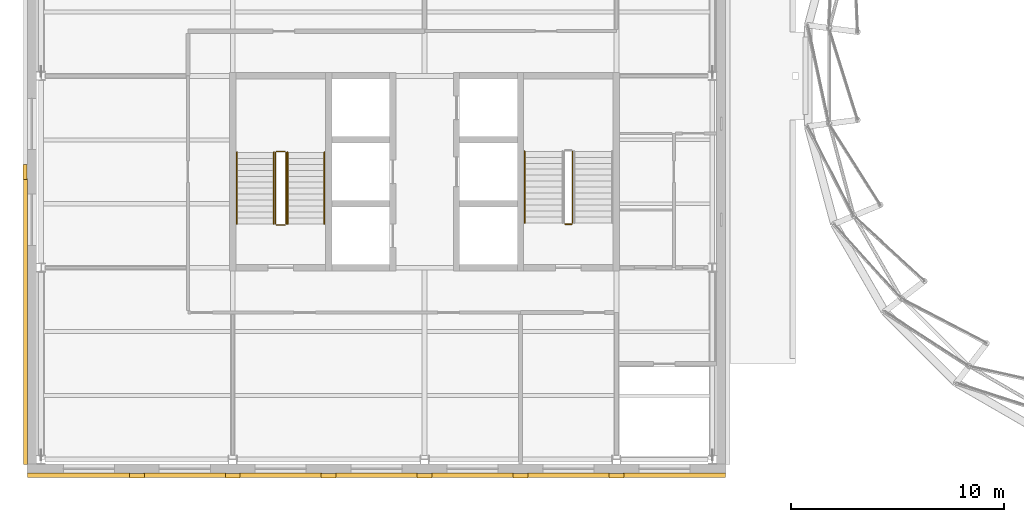
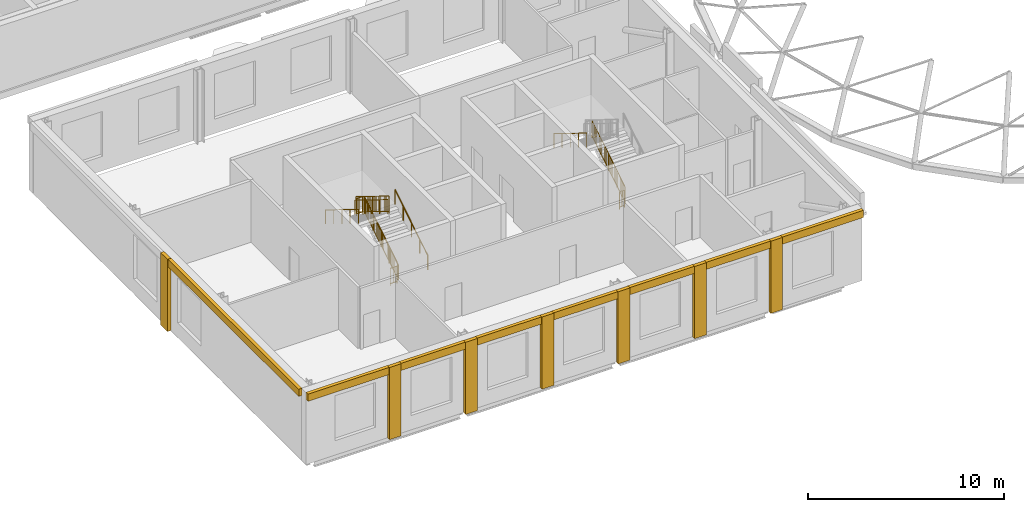
# One storey, part 49 of 59: 15 coverings, 11 railings.
"""IFC4 building model written with IfcOpenShell, lengths in metres."""

from ifc_helpers import new_model, si_unit, direction, frame, origin, origin_2d, place, context, subcontext, project, spatial, rectangle, circle, extrude, material, layer, layer_set, type_object, element, save


model = new_model("IFC4")

# Units and contexts
model_context = context("Model", 3, precision=1e-05, world=origin(), true_north=direction((0.0, 1.0)))
body_context = subcontext(model_context, "Body", "Model", "MODEL_VIEW")
ifc_project = project(units=[si_unit("LENGTHUNIT", "METRE"), si_unit("AREAUNIT", "SQUARE_METRE"), si_unit("VOLUMEUNIT", "CUBIC_METRE"), si_unit("PLANEANGLEUNIT", "RADIAN"), si_unit("MASSUNIT", "GRAM", prefix="KILO")], contexts=[model_context])

# Site, building, storey
site_placement = place(None, origin())
site = spatial("IfcSite", under=ifc_project, at=site_placement, CompositionType="ELEMENT")
building_placement = place(site_placement, origin())
building = spatial("IfcBuilding", under=site, at=building_placement, Name="Hortulan Conservatory and Botanical Research Centre", CompositionType="ELEMENT")
storey_placement = place(building_placement, frame((0.0, 0.0, 10.5)))
storey = spatial("IfcBuildingStorey", under=building, at=storey_placement, Name="L02", CompositionType="ELEMENT", Elevation=10.5)

# Coverings
ifc_material_1 = material(Name="Sandstone masonry (Hawkesbury yellow block)", Category="masonry")
ifc_layer_1 = layer(ifc_material_1, 0.199951171875)
ifc_layer_set_1 = layer_set([ifc_layer_1], Name="Sandstone Cornice Course 450x200")
covering_type_1 = type_object("IfcCoveringType", Name="Sandstone Cornice Course 450x200", PredefinedType="CLADDING", material=ifc_layer_set_1)
covering_1_placement = place(storey_placement, frame((29.722412109375, -0.736083984375, 4.0498046875), z_axis=(0.0, 0.0, 1.0), x_axis=(-1.0, 0.0, 0.0)))
element("IfcCovering", 1, at=covering_1_placement, inside=storey, type_object=covering_type_1, Name="String course", PredefinedType="CLADDING", context=body_context, shape_type="SweptSolid", body=[
    extrude(rectangle(XDim=4.804931640625, YDim=0.199951171875, at=origin_2d()), origin(), (0.0, 0.0, 1.0), 0.449951171875),
])
for number, where, z_axis, x_axis, name in (
    (2, (24.75, -0.736083984375, 4.0498046875), (0.0, 0.0, 1.0), (-1.0, 0.0, 0.0), "String course"),
    (3, (20.25, -0.736083984375, 4.0498046875), (0.0, 0.0, 1.0), (-1.0, 0.0, 0.0), "String course"),
    (4, (15.75, -0.736083984375, 4.0498046875), (0.0, 0.0, 1.0), (-1.0, 0.0, 0.0), "String course"),
    (5, (11.25, -0.736083984375, 4.0498046875), (0.0, 0.0, 1.0), (-1.0, 0.0, 0.0), "String course"),
    (6, (6.75, -0.736083984375, 4.0498046875), (0.0, 0.0, 1.0), (-1.0, 0.0, 0.0), "String course"),
):
    element("IfcCovering", number, at=place(storey_placement, frame(where, z_axis=z_axis, x_axis=x_axis)), inside=storey, type_object=covering_type_1, Name=name, PredefinedType="CLADDING", context=body_context, shape_type="SweptSolid", body=[
        extrude(rectangle(XDim=3.860107421875, YDim=0.199951171875, at=origin_2d()), origin(), (0.0, 0.0, 1.0), 0.449951171875),
    ])
covering_2_placement = place(storey_placement, frame((1.777587890625, -0.736083984375, 4.0498046875), z_axis=(0.0, 0.0, 1.0), x_axis=(-1.0, 0.0, 0.0)))
element("IfcCovering", 7, at=covering_2_placement, inside=storey, type_object=covering_type_1, Name="String course", PredefinedType="CLADDING", context=body_context, shape_type="SweptSolid", body=[
    extrude(rectangle(XDim=4.804931640625, YDim=0.199951171875, at=origin_2d()), origin(), (0.0, 0.0, 1.0), 0.449951171875),
])
covering_3_placement = place(storey_placement, frame((-0.72509765625, 6.4775390625, 4.0498046875), z_axis=(0.0, 0.0, 1.0), x_axis=(0.0, 1.0, 0.0)))
element("IfcCovering", 8, at=covering_3_placement, inside=storey, type_object=covering_type_1, Name="String course", PredefinedType="CLADDING", context=body_context, shape_type="SweptSolid", body=[
    extrude(rectangle(XDim=13.405029296875, YDim=0.199951171875, at=origin_2d()), origin(), (0.0, 0.0, 1.0), 0.449951171875),
])
ifc_layer_2 = layer(ifc_material_1, 0.199951171875)
ifc_layer_set_2 = layer_set([ifc_layer_2], Name="Sandstone Pilaster 700x200")
covering_type_2 = type_object("IfcCoveringType", Name="Sandstone Pilaster 700x200", PredefinedType="CLADDING", material=ifc_layer_set_2)
for number, where, z_axis, x_axis, name in (
    (9, (27.0, -0.760986328125, 0.0), (0.0, 0.0, 1.0), (-1.0, 0.0, 0.0), "Pier"),
    (10, (22.5, -0.760986328125, 0.0), (0.0, 0.0, 1.0), (-1.0, 0.0, 0.0), "Pier"),
    (11, (18.0, -0.760986328125, 0.0), (0.0, 0.0, 1.0), (-1.0, 0.0, 0.0), "Pier"),
    (12, (13.5, -0.760986328125, 0.0), (0.0, 0.0, 1.0), (-1.0, 0.0, 0.0), "Pier"),
    (13, (9.0, -0.760986328125, 0.0), (0.0, 0.0, 1.0), (-1.0, 0.0, 0.0), "Pier"),
    (14, (4.5, -0.760986328125, 0.0), (0.0, 0.0, 1.0), (-1.0, 0.0, 0.0), "Pier"),
    (15, (-0.75, 13.5, 0.0), (0.0, 0.0, 1.0), (0.0, 1.0, 0.0), "Pier"),
):
    element("IfcCovering", number, at=place(storey_placement, frame(where, z_axis=z_axis, x_axis=x_axis)), inside=storey, type_object=covering_type_2, Name=name, PredefinedType="CLADDING", context=body_context, shape_type="SweptSolid", body=[
        extrude(rectangle(XDim=0.699951171875, YDim=0.199951171875, at=origin_2d()), origin(), (0.0, 0.0, 1.0), 4.5),
    ])

# Railings
ifc_material_2 = material(Name="Steel balustrade, bronze-charcoal paint", Category="steel")
railing_type_1 = type_object("IfcRailingType", Name="Stair Guard 1100", PredefinedType="GUARDRAIL", material=ifc_material_2)
railing_1_placement = place(storey_placement, frame((11.5, 11.050048828125, 0.173095703125)))
element("IfcRailing", 16, at=railing_1_placement, inside=storey, type_object=railing_type_1, Name="Guard T1 L02 stair 1", PredefinedType="GUARDRAIL", context=body_context, shape_type="SweptSolid", body=[
    extrude(circle(Radius=0.02392578125, at=origin_2d()), frame((0.0, 0.0, 1.076171875), z_axis=(0.0, 0.850606129759, 0.525803396734), x_axis=(-1.0, 0.0, 0.0)), (0.0, 0.0, 1.0), 3.949951171875),
    extrude(circle(Radius=0.02392578125, at=origin_2d()), frame((0.0, 0.0, 0.1240234375), z_axis=(0.0, 0.850606129759, 0.525803396734), x_axis=(-1.0, 0.0, 0.0)), (0.0, 0.0, 1.0), 3.949951171875),
    extrude(circle(Radius=0.008056640625, at=origin_2d()), frame((0.0, 0.09326171875, 0.205810546875)), (0.0, 0.0, 1.0), 0.90380859375),
    extrude(circle(Radius=0.008056640625, at=origin_2d()), frame((0.0, 0.186767578125, 0.263671875)), (0.0, 0.0, 1.0), 0.90380859375),
    extrude(circle(Radius=0.008056640625, at=origin_2d()), frame((0.0, 0.280029296875, 0.3212890625)), (0.0, 0.0, 1.0), 0.90380859375),
    extrude(circle(Radius=0.008056640625, at=origin_2d()), frame((0.0, 0.373291015625, 0.37890625)), (0.0, 0.0, 1.0), 0.90380859375),
    extrude(circle(Radius=0.008056640625, at=origin_2d()), frame((0.0, 0.466552734375, 0.436767578125)), (0.0, 0.0, 1.0), 0.90380859375),
    extrude(circle(Radius=0.008056640625, at=origin_2d()), frame((0.0, 0.56005859375, 0.494384765625)), (0.0, 0.0, 1.0), 0.90380859375),
    extrude(circle(Radius=0.008056640625, at=origin_2d()), frame((0.0, 0.6533203125, 0.552001953125)), (0.0, 0.0, 1.0), 0.90380859375),
    extrude(circle(Radius=0.008056640625, at=origin_2d()), frame((0.0, 0.74658203125, 0.609619140625)), (0.0, 0.0, 1.0), 0.90380859375),
    extrude(circle(Radius=0.008056640625, at=origin_2d()), frame((0.0, 0.83984375, 0.66748046875)), (0.0, 0.0, 1.0), 0.90380859375),
    extrude(circle(Radius=0.008056640625, at=origin_2d()), frame((0.0, 0.933349609375, 0.72509765625)), (0.0, 0.0, 1.0), 0.90380859375),
    extrude(circle(Radius=0.008056640625, at=origin_2d()), frame((0.0, 1.026611328125, 0.78271484375)), (0.0, 0.0, 1.0), 0.90380859375),
    extrude(circle(Radius=0.008056640625, at=origin_2d()), frame((0.0, 1.119873046875, 0.840576171875)), (0.0, 0.0, 1.0), 0.90380859375),
    extrude(circle(Radius=0.008056640625, at=origin_2d()), frame((0.0, 1.21337890625, 0.898193359375)), (0.0, 0.0, 1.0), 0.90380859375),
    extrude(circle(Radius=0.008056640625, at=origin_2d()), frame((0.0, 1.306640625, 0.955810546875)), (0.0, 0.0, 1.0), 0.90380859375),
    extrude(circle(Radius=0.008056640625, at=origin_2d()), frame((0.0, 1.39990234375, 1.013671875)), (0.0, 0.0, 1.0), 0.90380859375),
    extrude(circle(Radius=0.008056640625, at=origin_2d()), frame((0.0, 1.4931640625, 1.0712890625)), (0.0, 0.0, 1.0), 0.90380859375),
    extrude(circle(Radius=0.008056640625, at=origin_2d()), frame((0.0, 1.586669921875, 1.12890625)), (0.0, 0.0, 1.0), 0.90380859375),
    extrude(circle(Radius=0.008056640625, at=origin_2d()), frame((0.0, 1.679931640625, 1.1865234375)), (0.0, 0.0, 1.0), 0.90380859375),
    extrude(circle(Radius=0.008056640625, at=origin_2d()), frame((0.0, 1.773193359375, 1.244384765625)), (0.0, 0.0, 1.0), 0.90380859375),
    extrude(circle(Radius=0.008056640625, at=origin_2d()), frame((0.0, 1.86669921875, 1.302001953125)), (0.0, 0.0, 1.0), 0.90380859375),
    extrude(circle(Radius=0.008056640625, at=origin_2d()), frame((0.0, 1.9599609375, 1.359619140625)), (0.0, 0.0, 1.0), 0.90380859375),
    extrude(circle(Radius=0.008056640625, at=origin_2d()), frame((0.0, 2.05322265625, 1.41748046875)), (0.0, 0.0, 1.0), 0.90380859375),
    extrude(circle(Radius=0.008056640625, at=origin_2d()), frame((0.0, 2.146484375, 1.47509765625)), (0.0, 0.0, 1.0), 0.90380859375),
    extrude(circle(Radius=0.008056640625, at=origin_2d()), frame((0.0, 2.239990234375, 1.53271484375)), (0.0, 0.0, 1.0), 0.90380859375),
    extrude(circle(Radius=0.008056640625, at=origin_2d()), frame((0.0, 2.333251953125, 1.590576171875)), (0.0, 0.0, 1.0), 0.90380859375),
    extrude(circle(Radius=0.008056640625, at=origin_2d()), frame((0.0, 2.426513671875, 1.648193359375)), (0.0, 0.0, 1.0), 0.90380859375),
    extrude(circle(Radius=0.008056640625, at=origin_2d()), frame((0.0, 2.52001953125, 1.705810546875)), (0.0, 0.0, 1.0), 0.90380859375),
    extrude(circle(Radius=0.008056640625, at=origin_2d()), frame((0.0, 2.61328125, 1.763671875)), (0.0, 0.0, 1.0), 0.90380859375),
    extrude(circle(Radius=0.008056640625, at=origin_2d()), frame((0.0, 2.70654296875, 1.8212890625)), (0.0, 0.0, 1.0), 0.90380859375),
    extrude(circle(Radius=0.008056640625, at=origin_2d()), frame((0.0, 2.7998046875, 1.87890625)), (0.0, 0.0, 1.0), 0.90380859375),
    extrude(circle(Radius=0.008056640625, at=origin_2d()), frame((0.0, 2.893310546875, 1.9365234375)), (0.0, 0.0, 1.0), 0.90380859375),
    extrude(circle(Radius=0.008056640625, at=origin_2d()), frame((0.0, 2.986572265625, 1.994384765625)), (0.0, 0.0, 1.0), 0.90380859375),
    extrude(circle(Radius=0.008056640625, at=origin_2d()), frame((0.0, 3.079833984375, 2.052001953125)), (0.0, 0.0, 1.0), 0.90380859375),
    extrude(circle(Radius=0.008056640625, at=origin_2d()), frame((0.0, 3.173095703125, 2.109619140625)), (0.0, 0.0, 1.0), 0.90380859375),
    extrude(circle(Radius=0.008056640625, at=origin_2d()), frame((0.0, 3.2666015625, 2.16748046875)), (0.0, 0.0, 1.0), 0.90380859375),
    extrude(circle(Radius=0.02099609375, at=origin_2d()), origin(), (0.0, 0.0, 1.0), 1.052001953125),
    extrude(circle(Radius=0.02099609375, at=origin_2d()), frame((0.0, 0.83984375, 0.519287109375)), (0.0, 0.0, 1.0), 1.052001953125),
    extrude(circle(Radius=0.02099609375, at=origin_2d()), frame((0.0, 1.679931640625, 1.03857421875)), (0.0, 0.0, 1.0), 1.052001953125),
    extrude(circle(Radius=0.02099609375, at=origin_2d()), frame((0.0, 2.52001953125, 1.5576171875)), (0.0, 0.0, 1.0), 1.052001953125),
    extrude(circle(Radius=0.02099609375, at=origin_2d()), frame((0.0, 3.35986328125, 2.076904296875)), (0.0, 0.0, 1.0), 1.052001953125),
])
railing_2_placement = place(storey_placement, frame((11.449951171875, 14.4599609375, 2.25)))
element("IfcRailing", 17, at=railing_2_placement, inside=storey, type_object=railing_type_1, Name="Guard T1 L02 stair 2", PredefinedType="GUARDRAIL", context=body_context, shape_type="SweptSolid", body=[
    extrude(circle(Radius=0.02392578125, at=origin_2d()), frame((0.0, 0.0, 1.076171875), z_axis=(-1.0, 0.0, 0.0), x_axis=(0.0, -1.0, 0.0)), (0.0, 0.0, 1.0), 0.39990234375),
    extrude(circle(Radius=0.02392578125, at=origin_2d()), frame((0.0, 0.0, 0.1240234375), z_axis=(-1.0, 0.0, 0.0), x_axis=(0.0, -1.0, 0.0)), (0.0, 0.0, 1.0), 0.39990234375),
    extrude(circle(Radius=0.008056640625, at=origin_2d()), frame((-0.10009765625, 0.0, 0.148193359375)), (0.0, 0.0, 1.0), 0.90380859375),
    extrude(circle(Radius=0.008056640625, at=origin_2d()), frame((-0.199951171875, 0.0, 0.148193359375)), (0.0, 0.0, 1.0), 0.90380859375),
    extrude(circle(Radius=0.008056640625, at=origin_2d()), frame((-0.2998046875, 0.0, 0.148193359375)), (0.0, 0.0, 1.0), 0.90380859375),
    extrude(circle(Radius=0.02099609375, at=origin_2d()), origin(), (0.0, 0.0, 1.0), 1.052001953125),
    extrude(circle(Radius=0.02099609375, at=origin_2d()), frame((-0.39990234375, 0.0, 0.0)), (0.0, 0.0, 1.0), 1.052001953125),
])
railing_3_placement = place(storey_placement, frame((11.0, 14.409912109375, 2.423095703125)))
element("IfcRailing", 18, at=railing_3_placement, inside=storey, type_object=railing_type_1, Name="Guard T1 L02 stair 3", PredefinedType="GUARDRAIL", context=body_context, shape_type="SweptSolid", body=[
    extrude(circle(Radius=0.02392578125, at=origin_2d()), frame((0.0, 0.0, 1.076171875), z_axis=(0.0, -0.850606129759, 0.525803396734), x_axis=(1.0, 0.0, 0.0)), (0.0, 0.0, 1.0), 3.949951171875),
    extrude(circle(Radius=0.02392578125, at=origin_2d()), frame((0.0, 0.0, 0.1240234375), z_axis=(0.0, -0.850606129759, 0.525803396734), x_axis=(1.0, 0.0, 0.0)), (0.0, 0.0, 1.0), 3.949951171875),
    extrude(circle(Radius=0.008056640625, at=origin_2d()), frame((0.0, -0.09326171875, 0.205810546875)), (0.0, 0.0, 1.0), 0.90380859375),
    extrude(circle(Radius=0.008056640625, at=origin_2d()), frame((0.0, -0.186767578125, 0.263671875)), (0.0, 0.0, 1.0), 0.90380859375),
    extrude(circle(Radius=0.008056640625, at=origin_2d()), frame((0.0, -0.280029296875, 0.3212890625)), (0.0, 0.0, 1.0), 0.90380859375),
    extrude(circle(Radius=0.008056640625, at=origin_2d()), frame((0.0, -0.373291015625, 0.37890625)), (0.0, 0.0, 1.0), 0.90380859375),
    extrude(circle(Radius=0.008056640625, at=origin_2d()), frame((0.0, -0.466552734375, 0.436767578125)), (0.0, 0.0, 1.0), 0.90380859375),
    extrude(circle(Radius=0.008056640625, at=origin_2d()), frame((0.0, -0.56005859375, 0.494384765625)), (0.0, 0.0, 1.0), 0.90380859375),
    extrude(circle(Radius=0.008056640625, at=origin_2d()), frame((0.0, -0.6533203125, 0.552001953125)), (0.0, 0.0, 1.0), 0.90380859375),
    extrude(circle(Radius=0.008056640625, at=origin_2d()), frame((0.0, -0.74658203125, 0.609619140625)), (0.0, 0.0, 1.0), 0.90380859375),
    extrude(circle(Radius=0.008056640625, at=origin_2d()), frame((0.0, -0.83984375, 0.66748046875)), (0.0, 0.0, 1.0), 0.90380859375),
    extrude(circle(Radius=0.008056640625, at=origin_2d()), frame((0.0, -0.933349609375, 0.72509765625)), (0.0, 0.0, 1.0), 0.90380859375),
    extrude(circle(Radius=0.008056640625, at=origin_2d()), frame((0.0, -1.026611328125, 0.78271484375)), (0.0, 0.0, 1.0), 0.90380859375),
    extrude(circle(Radius=0.008056640625, at=origin_2d()), frame((0.0, -1.119873046875, 0.840576171875)), (0.0, 0.0, 1.0), 0.90380859375),
    extrude(circle(Radius=0.008056640625, at=origin_2d()), frame((0.0, -1.21337890625, 0.898193359375)), (0.0, 0.0, 1.0), 0.90380859375),
    extrude(circle(Radius=0.008056640625, at=origin_2d()), frame((0.0, -1.306640625, 0.955810546875)), (0.0, 0.0, 1.0), 0.90380859375),
    extrude(circle(Radius=0.008056640625, at=origin_2d()), frame((0.0, -1.39990234375, 1.013671875)), (0.0, 0.0, 1.0), 0.90380859375),
    extrude(circle(Radius=0.008056640625, at=origin_2d()), frame((0.0, -1.4931640625, 1.0712890625)), (0.0, 0.0, 1.0), 0.90380859375),
    extrude(circle(Radius=0.008056640625, at=origin_2d()), frame((0.0, -1.586669921875, 1.12890625)), (0.0, 0.0, 1.0), 0.90380859375),
    extrude(circle(Radius=0.008056640625, at=origin_2d()), frame((0.0, -1.679931640625, 1.1865234375)), (0.0, 0.0, 1.0), 0.90380859375),
    extrude(circle(Radius=0.008056640625, at=origin_2d()), frame((0.0, -1.773193359375, 1.244384765625)), (0.0, 0.0, 1.0), 0.90380859375),
    extrude(circle(Radius=0.008056640625, at=origin_2d()), frame((0.0, -1.86669921875, 1.302001953125)), (0.0, 0.0, 1.0), 0.90380859375),
    extrude(circle(Radius=0.008056640625, at=origin_2d()), frame((0.0, -1.9599609375, 1.359619140625)), (0.0, 0.0, 1.0), 0.90380859375),
    extrude(circle(Radius=0.008056640625, at=origin_2d()), frame((0.0, -2.05322265625, 1.41748046875)), (0.0, 0.0, 1.0), 0.90380859375),
    extrude(circle(Radius=0.008056640625, at=origin_2d()), frame((0.0, -2.146484375, 1.47509765625)), (0.0, 0.0, 1.0), 0.90380859375),
    extrude(circle(Radius=0.008056640625, at=origin_2d()), frame((0.0, -2.239990234375, 1.53271484375)), (0.0, 0.0, 1.0), 0.90380859375),
    extrude(circle(Radius=0.008056640625, at=origin_2d()), frame((0.0, -2.333251953125, 1.590576171875)), (0.0, 0.0, 1.0), 0.90380859375),
    extrude(circle(Radius=0.008056640625, at=origin_2d()), frame((0.0, -2.426513671875, 1.648193359375)), (0.0, 0.0, 1.0), 0.90380859375),
    extrude(circle(Radius=0.008056640625, at=origin_2d()), frame((0.0, -2.52001953125, 1.705810546875)), (0.0, 0.0, 1.0), 0.90380859375),
    extrude(circle(Radius=0.008056640625, at=origin_2d()), frame((0.0, -2.61328125, 1.763671875)), (0.0, 0.0, 1.0), 0.90380859375),
    extrude(circle(Radius=0.008056640625, at=origin_2d()), frame((0.0, -2.70654296875, 1.8212890625)), (0.0, 0.0, 1.0), 0.90380859375),
    extrude(circle(Radius=0.008056640625, at=origin_2d()), frame((0.0, -2.7998046875, 1.87890625)), (0.0, 0.0, 1.0), 0.90380859375),
    extrude(circle(Radius=0.008056640625, at=origin_2d()), frame((0.0, -2.893310546875, 1.9365234375)), (0.0, 0.0, 1.0), 0.90380859375),
    extrude(circle(Radius=0.008056640625, at=origin_2d()), frame((0.0, -2.986572265625, 1.994384765625)), (0.0, 0.0, 1.0), 0.90380859375),
    extrude(circle(Radius=0.008056640625, at=origin_2d()), frame((0.0, -3.079833984375, 2.052001953125)), (0.0, 0.0, 1.0), 0.90380859375),
    extrude(circle(Radius=0.008056640625, at=origin_2d()), frame((0.0, -3.173095703125, 2.109619140625)), (0.0, 0.0, 1.0), 0.90380859375),
    extrude(circle(Radius=0.008056640625, at=origin_2d()), frame((0.0, -3.2666015625, 2.16748046875)), (0.0, 0.0, 1.0), 0.90380859375),
    extrude(circle(Radius=0.02099609375, at=origin_2d()), origin(), (0.0, 0.0, 1.0), 1.052001953125),
    extrude(circle(Radius=0.02099609375, at=origin_2d()), frame((0.0, -0.83984375, 0.519287109375)), (0.0, 0.0, 1.0), 1.052001953125),
    extrude(circle(Radius=0.02099609375, at=origin_2d()), frame((0.0, -1.679931640625, 1.03857421875)), (0.0, 0.0, 1.0), 1.052001953125),
    extrude(circle(Radius=0.02099609375, at=origin_2d()), frame((0.0, -2.52001953125, 1.5576171875)), (0.0, 0.0, 1.0), 1.052001953125),
    extrude(circle(Radius=0.02099609375, at=origin_2d()), frame((0.0, -3.35986328125, 2.076904296875)), (0.0, 0.0, 1.0), 1.052001953125),
])
railing_4_placement = place(storey_placement, frame((11.449951171875, 11.0, 0.0)))
element("IfcRailing", 19, at=railing_4_placement, inside=storey, type_object=railing_type_1, Name="Guard T1 L02 stair 4", PredefinedType="GUARDRAIL", context=body_context, shape_type="SweptSolid", body=[
    extrude(circle(Radius=0.02392578125, at=origin_2d()), frame((0.0, 0.0, 1.076171875), z_axis=(-1.0, 0.0, 0.0), x_axis=(0.0, -1.0, 0.0)), (0.0, 0.0, 1.0), 0.39990234375),
    extrude(circle(Radius=0.02392578125, at=origin_2d()), frame((0.0, 0.0, 0.1240234375), z_axis=(-1.0, 0.0, 0.0), x_axis=(0.0, -1.0, 0.0)), (0.0, 0.0, 1.0), 0.39990234375),
    extrude(circle(Radius=0.008056640625, at=origin_2d()), frame((-0.10009765625, 0.0, 0.148193359375)), (0.0, 0.0, 1.0), 0.90380859375),
    extrude(circle(Radius=0.008056640625, at=origin_2d()), frame((-0.199951171875, 0.0, 0.148193359375)), (0.0, 0.0, 1.0), 0.90380859375),
    extrude(circle(Radius=0.008056640625, at=origin_2d()), frame((-0.2998046875, 0.0, 0.148193359375)), (0.0, 0.0, 1.0), 0.90380859375),
    extrude(circle(Radius=0.02099609375, at=origin_2d()), origin(), (0.0, 0.0, 1.0), 1.052001953125),
    extrude(circle(Radius=0.02099609375, at=origin_2d()), frame((-0.39990234375, 0.0, 0.0)), (0.0, 0.0, 1.0), 1.052001953125),
])
railing_5_placement = place(storey_placement, frame((24.949951171875, 11.10009765625, 0.173095703125)))
element("IfcRailing", 20, at=railing_5_placement, inside=storey, type_object=railing_type_1, Name="Guard T2 L02 stair 1", PredefinedType="GUARDRAIL", context=body_context, shape_type="SweptSolid", body=[
    extrude(circle(Radius=0.02392578125, at=origin_2d()), frame((0.0, 0.0, 1.076171875), z_axis=(0.0, 0.850606129759, 0.525803396734), x_axis=(-1.0, 0.0, 0.0)), (0.0, 0.0, 1.0), 3.949951171875),
    extrude(circle(Radius=0.02392578125, at=origin_2d()), frame((0.0, 0.0, 0.1240234375), z_axis=(0.0, 0.850606129759, 0.525803396734), x_axis=(-1.0, 0.0, 0.0)), (0.0, 0.0, 1.0), 3.949951171875),
    extrude(circle(Radius=0.008056640625, at=origin_2d()), frame((0.0, 0.09326171875, 0.205810546875)), (0.0, 0.0, 1.0), 0.90380859375),
    extrude(circle(Radius=0.008056640625, at=origin_2d()), frame((0.0, 0.186767578125, 0.263671875)), (0.0, 0.0, 1.0), 0.90380859375),
    extrude(circle(Radius=0.008056640625, at=origin_2d()), frame((0.0, 0.280029296875, 0.3212890625)), (0.0, 0.0, 1.0), 0.90380859375),
    extrude(circle(Radius=0.008056640625, at=origin_2d()), frame((0.0, 0.373291015625, 0.37890625)), (0.0, 0.0, 1.0), 0.90380859375),
    extrude(circle(Radius=0.008056640625, at=origin_2d()), frame((0.0, 0.466552734375, 0.436767578125)), (0.0, 0.0, 1.0), 0.90380859375),
    extrude(circle(Radius=0.008056640625, at=origin_2d()), frame((0.0, 0.56005859375, 0.494384765625)), (0.0, 0.0, 1.0), 0.90380859375),
    extrude(circle(Radius=0.008056640625, at=origin_2d()), frame((0.0, 0.6533203125, 0.552001953125)), (0.0, 0.0, 1.0), 0.90380859375),
    extrude(circle(Radius=0.008056640625, at=origin_2d()), frame((0.0, 0.74658203125, 0.609619140625)), (0.0, 0.0, 1.0), 0.90380859375),
    extrude(circle(Radius=0.008056640625, at=origin_2d()), frame((0.0, 0.83984375, 0.66748046875)), (0.0, 0.0, 1.0), 0.90380859375),
    extrude(circle(Radius=0.008056640625, at=origin_2d()), frame((0.0, 0.933349609375, 0.72509765625)), (0.0, 0.0, 1.0), 0.90380859375),
    extrude(circle(Radius=0.008056640625, at=origin_2d()), frame((0.0, 1.026611328125, 0.78271484375)), (0.0, 0.0, 1.0), 0.90380859375),
    extrude(circle(Radius=0.008056640625, at=origin_2d()), frame((0.0, 1.119873046875, 0.840576171875)), (0.0, 0.0, 1.0), 0.90380859375),
    extrude(circle(Radius=0.008056640625, at=origin_2d()), frame((0.0, 1.21337890625, 0.898193359375)), (0.0, 0.0, 1.0), 0.90380859375),
    extrude(circle(Radius=0.008056640625, at=origin_2d()), frame((0.0, 1.306640625, 0.955810546875)), (0.0, 0.0, 1.0), 0.90380859375),
    extrude(circle(Radius=0.008056640625, at=origin_2d()), frame((0.0, 1.39990234375, 1.013671875)), (0.0, 0.0, 1.0), 0.90380859375),
    extrude(circle(Radius=0.008056640625, at=origin_2d()), frame((0.0, 1.4931640625, 1.0712890625)), (0.0, 0.0, 1.0), 0.90380859375),
    extrude(circle(Radius=0.008056640625, at=origin_2d()), frame((0.0, 1.586669921875, 1.12890625)), (0.0, 0.0, 1.0), 0.90380859375),
    extrude(circle(Radius=0.008056640625, at=origin_2d()), frame((0.0, 1.679931640625, 1.1865234375)), (0.0, 0.0, 1.0), 0.90380859375),
    extrude(circle(Radius=0.008056640625, at=origin_2d()), frame((0.0, 1.773193359375, 1.244384765625)), (0.0, 0.0, 1.0), 0.90380859375),
    extrude(circle(Radius=0.008056640625, at=origin_2d()), frame((0.0, 1.86669921875, 1.302001953125)), (0.0, 0.0, 1.0), 0.90380859375),
    extrude(circle(Radius=0.008056640625, at=origin_2d()), frame((0.0, 1.9599609375, 1.359619140625)), (0.0, 0.0, 1.0), 0.90380859375),
    extrude(circle(Radius=0.008056640625, at=origin_2d()), frame((0.0, 2.05322265625, 1.41748046875)), (0.0, 0.0, 1.0), 0.90380859375),
    extrude(circle(Radius=0.008056640625, at=origin_2d()), frame((0.0, 2.146484375, 1.47509765625)), (0.0, 0.0, 1.0), 0.90380859375),
    extrude(circle(Radius=0.008056640625, at=origin_2d()), frame((0.0, 2.239990234375, 1.53271484375)), (0.0, 0.0, 1.0), 0.90380859375),
    extrude(circle(Radius=0.008056640625, at=origin_2d()), frame((0.0, 2.333251953125, 1.590576171875)), (0.0, 0.0, 1.0), 0.90380859375),
    extrude(circle(Radius=0.008056640625, at=origin_2d()), frame((0.0, 2.426513671875, 1.648193359375)), (0.0, 0.0, 1.0), 0.90380859375),
    extrude(circle(Radius=0.008056640625, at=origin_2d()), frame((0.0, 2.52001953125, 1.705810546875)), (0.0, 0.0, 1.0), 0.90380859375),
    extrude(circle(Radius=0.008056640625, at=origin_2d()), frame((0.0, 2.61328125, 1.763671875)), (0.0, 0.0, 1.0), 0.90380859375),
    extrude(circle(Radius=0.008056640625, at=origin_2d()), frame((0.0, 2.70654296875, 1.8212890625)), (0.0, 0.0, 1.0), 0.90380859375),
    extrude(circle(Radius=0.008056640625, at=origin_2d()), frame((0.0, 2.7998046875, 1.87890625)), (0.0, 0.0, 1.0), 0.90380859375),
    extrude(circle(Radius=0.008056640625, at=origin_2d()), frame((0.0, 2.893310546875, 1.9365234375)), (0.0, 0.0, 1.0), 0.90380859375),
    extrude(circle(Radius=0.008056640625, at=origin_2d()), frame((0.0, 2.986572265625, 1.994384765625)), (0.0, 0.0, 1.0), 0.90380859375),
    extrude(circle(Radius=0.008056640625, at=origin_2d()), frame((0.0, 3.079833984375, 2.052001953125)), (0.0, 0.0, 1.0), 0.90380859375),
    extrude(circle(Radius=0.008056640625, at=origin_2d()), frame((0.0, 3.173095703125, 2.109619140625)), (0.0, 0.0, 1.0), 0.90380859375),
    extrude(circle(Radius=0.008056640625, at=origin_2d()), frame((0.0, 3.2666015625, 2.16748046875)), (0.0, 0.0, 1.0), 0.90380859375),
    extrude(circle(Radius=0.02099609375, at=origin_2d()), origin(), (0.0, 0.0, 1.0), 1.052001953125),
    extrude(circle(Radius=0.02099609375, at=origin_2d()), frame((0.0, 0.83984375, 0.519287109375)), (0.0, 0.0, 1.0), 1.052001953125),
    extrude(circle(Radius=0.02099609375, at=origin_2d()), frame((0.0, 1.679931640625, 1.03857421875)), (0.0, 0.0, 1.0), 1.052001953125),
    extrude(circle(Radius=0.02099609375, at=origin_2d()), frame((0.0, 2.52001953125, 1.5576171875)), (0.0, 0.0, 1.0), 1.052001953125),
    extrude(circle(Radius=0.02099609375, at=origin_2d()), frame((0.0, 3.35986328125, 2.076904296875)), (0.0, 0.0, 1.0), 1.052001953125),
])
railing_6_placement = place(storey_placement, frame((24.89990234375, 11.050048828125, 0.0)))
element("IfcRailing", 21, at=railing_6_placement, inside=storey, type_object=railing_type_1, Name="Guard T2 L02 stair 4", PredefinedType="GUARDRAIL", context=body_context, shape_type="SweptSolid", body=[
    extrude(circle(Radius=0.02392578125, at=origin_2d()), frame((0.0, 0.0, 1.076171875), z_axis=(-1.0, 0.0, 0.0), x_axis=(0.0, -1.0, 0.0)), (0.0, 0.0, 1.0), 0.2998046875),
    extrude(circle(Radius=0.02392578125, at=origin_2d()), frame((0.0, 0.0, 0.1240234375), z_axis=(-1.0, 0.0, 0.0), x_axis=(0.0, -1.0, 0.0)), (0.0, 0.0, 1.0), 0.2998046875),
    extrude(circle(Radius=0.008056640625, at=origin_2d()), frame((-0.099853515625, 0.0, 0.148193359375)), (0.0, 0.0, 1.0), 0.90380859375),
    extrude(circle(Radius=0.008056640625, at=origin_2d()), frame((-0.199951171875, 0.0, 0.148193359375)), (0.0, 0.0, 1.0), 0.90380859375),
    extrude(circle(Radius=0.02099609375, at=origin_2d()), origin(), (0.0, 0.0, 1.0), 1.052001953125),
    extrude(circle(Radius=0.02099609375, at=origin_2d()), frame((-0.2998046875, 0.0, 0.0)), (0.0, 0.0, 1.0), 1.052001953125),
])
ifc_material_3 = material(Name="Bronze handrail, polished", Category="metal")
railing_type_2 = type_object("IfcRailingType", Name="Stair Handrail 900", PredefinedType="HANDRAIL", material=ifc_material_3)
railing_7_placement = place(storey_placement, frame((13.300048828125, 11.050048828125, 0.173095703125)))
element("IfcRailing", 22, at=railing_7_placement, inside=storey, type_object=railing_type_2, Name="Handrail T1 L02 stair 1", PredefinedType="HANDRAIL", context=body_context, shape_type="SweptSolid", body=[
    extrude(circle(Radius=0.02392578125, at=origin_2d()), frame((0.0, 0.0, 0.8759765625), z_axis=(0.0, 0.850606129759, 0.525803396734), x_axis=(-1.0, 0.0, 0.0)), (0.0, 0.0, 1.0), 3.949951171875),
    extrude(circle(Radius=0.02099609375, at=origin_2d()), origin(), (0.0, 0.0, 1.0), 0.851806640625),
    extrude(circle(Radius=0.02099609375, at=origin_2d()), frame((0.0, 0.83984375, 0.519287109375)), (0.0, 0.0, 1.0), 0.851806640625),
    extrude(circle(Radius=0.02099609375, at=origin_2d()), frame((0.0, 1.679931640625, 1.03857421875)), (0.0, 0.0, 1.0), 0.851806640625),
    extrude(circle(Radius=0.02099609375, at=origin_2d()), frame((0.0, 2.52001953125, 1.5576171875)), (0.0, 0.0, 1.0), 0.851806640625),
    extrude(circle(Radius=0.02099609375, at=origin_2d()), frame((0.0, 3.35986328125, 2.076904296875)), (0.0, 0.0, 1.0), 0.851806640625),
])
railing_8_placement = place(storey_placement, frame((9.199951171875, 14.409912109375, 2.423095703125)))
element("IfcRailing", 23, at=railing_8_placement, inside=storey, type_object=railing_type_2, Name="Handrail T1 L02 stair 2", PredefinedType="HANDRAIL", context=body_context, shape_type="SweptSolid", body=[
    extrude(circle(Radius=0.02392578125, at=origin_2d()), frame((0.0, 0.0, 0.8759765625), z_axis=(0.0, -0.850606129759, 0.525803396734), x_axis=(1.0, 0.0, 0.0)), (0.0, 0.0, 1.0), 3.949951171875),
    extrude(circle(Radius=0.02099609375, at=origin_2d()), origin(), (0.0, 0.0, 1.0), 0.851806640625),
    extrude(circle(Radius=0.02099609375, at=origin_2d()), frame((0.0, -0.83984375, 0.519287109375)), (0.0, 0.0, 1.0), 0.851806640625),
    extrude(circle(Radius=0.02099609375, at=origin_2d()), frame((0.0, -1.679931640625, 1.03857421875)), (0.0, 0.0, 1.0), 0.851806640625),
    extrude(circle(Radius=0.02099609375, at=origin_2d()), frame((0.0, -2.52001953125, 1.5576171875)), (0.0, 0.0, 1.0), 0.851806640625),
    extrude(circle(Radius=0.02099609375, at=origin_2d()), frame((0.0, -3.35986328125, 2.076904296875)), (0.0, 0.0, 1.0), 0.851806640625),
])
railing_9_placement = place(storey_placement, frame((11.570068359375, 11.050048828125, 0.173095703125)))
element("IfcRailing", 24, at=railing_9_placement, inside=storey, type_object=railing_type_2, Name="Handrail T1 L02 stair 3", PredefinedType="HANDRAIL", context=body_context, shape_type="SweptSolid", body=[
    extrude(circle(Radius=0.02392578125, at=origin_2d()), frame((0.0, 0.0, 0.8759765625), z_axis=(0.0, 0.850606129759, 0.525803396734), x_axis=(-1.0, 0.0, 0.0)), (0.0, 0.0, 1.0), 3.949951171875),
    extrude(circle(Radius=0.02099609375, at=origin_2d()), origin(), (0.0, 0.0, 1.0), 0.851806640625),
    extrude(circle(Radius=0.02099609375, at=origin_2d()), frame((0.0, 0.83984375, 0.519287109375)), (0.0, 0.0, 1.0), 0.851806640625),
    extrude(circle(Radius=0.02099609375, at=origin_2d()), frame((0.0, 1.679931640625, 1.03857421875)), (0.0, 0.0, 1.0), 0.851806640625),
    extrude(circle(Radius=0.02099609375, at=origin_2d()), frame((0.0, 2.52001953125, 1.5576171875)), (0.0, 0.0, 1.0), 0.851806640625),
    extrude(circle(Radius=0.02099609375, at=origin_2d()), frame((0.0, 3.35986328125, 2.076904296875)), (0.0, 0.0, 1.0), 0.851806640625),
])
for number, where, name in (
    (25, (10.929931640625, 14.409912109375, 2.423095703125), "Handrail T1 L02 stair 4"),
    (26, (22.699951171875, 14.4599609375, 2.423095703125), "Handrail T2 L02 stair 2"),
):
    element("IfcRailing", number, at=place(storey_placement, frame(where)), inside=storey, type_object=railing_type_2, Name=name, PredefinedType="HANDRAIL", context=body_context, shape_type="SweptSolid", body=[
        extrude(circle(Radius=0.02392578125, at=origin_2d()), frame((0.0, 0.0, 0.8759765625), z_axis=(0.0, -0.850606129759, 0.525803396734), x_axis=(1.0, 0.0, 0.0)), (0.0, 0.0, 1.0), 3.949951171875),
        extrude(circle(Radius=0.02099609375, at=origin_2d()), origin(), (0.0, 0.0, 1.0), 0.851806640625),
        extrude(circle(Radius=0.02099609375, at=origin_2d()), frame((0.0, -0.83984375, 0.519287109375)), (0.0, 0.0, 1.0), 0.851806640625),
        extrude(circle(Radius=0.02099609375, at=origin_2d()), frame((0.0, -1.679931640625, 1.03857421875)), (0.0, 0.0, 1.0), 0.851806640625),
        extrude(circle(Radius=0.02099609375, at=origin_2d()), frame((0.0, -2.52001953125, 1.5576171875)), (0.0, 0.0, 1.0), 0.851806640625),
        extrude(circle(Radius=0.02099609375, at=origin_2d()), frame((0.0, -3.35986328125, 2.076904296875)), (0.0, 0.0, 1.0), 0.851806640625),
    ])

save(model, "model.ifc")
